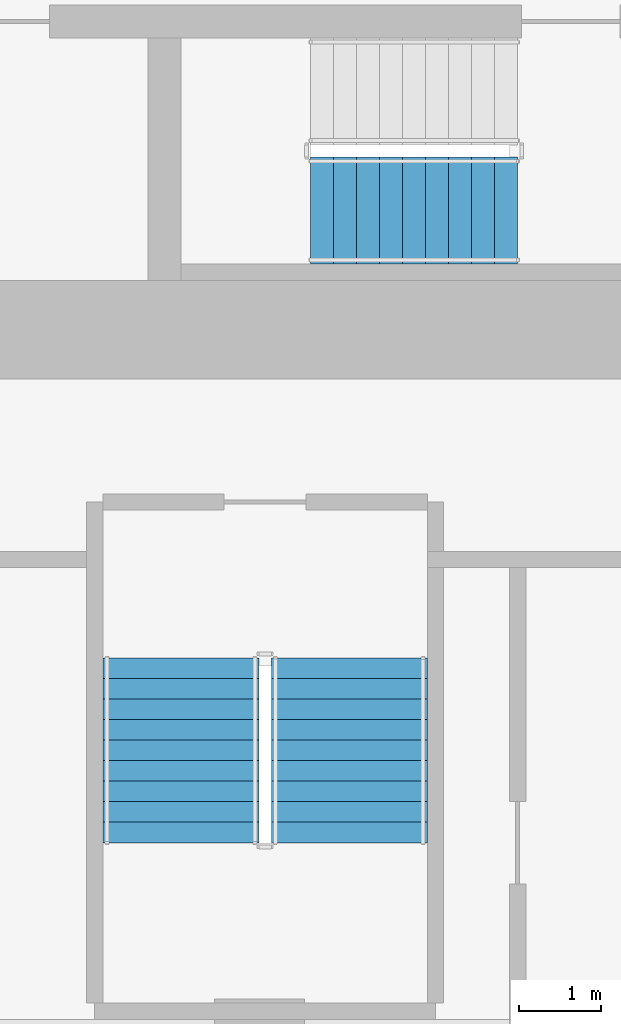
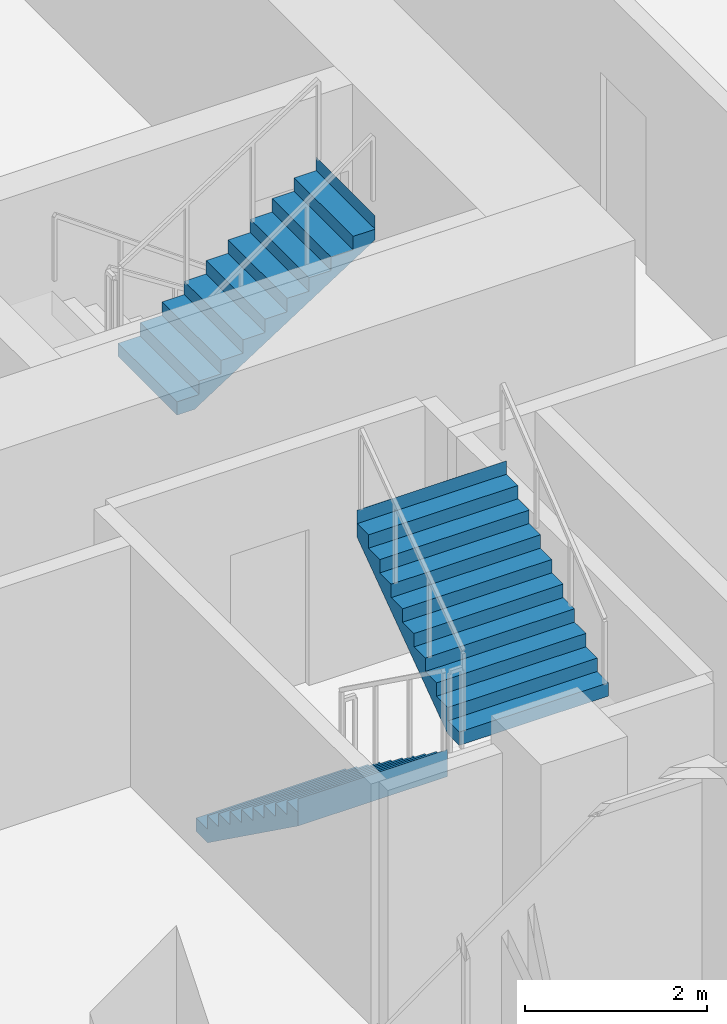
# One storey, part 17 of 22: 3 stair flights, 2 elements without a shape of their own.
"""IFC4 building model written with IfcOpenShell, lengths in metres."""

from ifc_helpers import new_model, si_unit, direction, frame, origin, place, context, subcontext, project, spatial, triangles, material, type_object, element, aggregate, save


model = new_model("IFC4")

# Units and contexts
model_context = context("Model", 3, precision=1e-05, world=origin(), true_north=direction((0.0, 1.0)))
body_context = subcontext(model_context, "Body", "Model", "MODEL_VIEW")
ifc_project = project(units=[si_unit("LENGTHUNIT", "METRE"), si_unit("AREAUNIT", "SQUARE_METRE"), si_unit("VOLUMEUNIT", "CUBIC_METRE"), si_unit("PLANEANGLEUNIT", "RADIAN"), si_unit("MASSUNIT", "GRAM", prefix="KILO")], contexts=[model_context])

# Site, building, storey
site_placement = place(None, origin())
site = spatial("IfcSite", under=ifc_project, at=site_placement, CompositionType="ELEMENT")
building_placement = place(site_placement, origin())
building = spatial("IfcBuilding", under=site, at=building_placement, Name="Beryl Residences", CompositionType="ELEMENT")
storey_placement = place(building_placement, frame((0.0, 0.0, 12.60009765625)))
storey = spatial("IfcBuildingStorey", under=building, at=storey_placement, Name="L03", CompositionType="ELEMENT", Elevation=12.60009765625)

# Stair, stair flights
ifc_material_1 = material(Name="Concrete C40/50", Category="concrete")
stair_type = type_object("IfcStairType", Name="ST1 protected exit stair, half-turn, 1300 mm flights", PredefinedType="HALF_TURN_STAIR", material=ifc_material_1)
stair_1_placement = place(storey_placement, origin())
stair_1 = element("IfcStair", 1, at=stair_1_placement, inside=storey, type_object=stair_type, Name="L03 Podium exit stair 7", PredefinedType="HALF_TURN_STAIR")
ifc_material_2 = material(Name="Concrete C40/50", Category="concrete")
stair_flight_type = type_object("IfcStairFlightType", Name="SF1 stair flight 1300 mm", PredefinedType="STRAIGHT", material=ifc_material_2)
stair_flight_1_placement = place(storey_placement, frame((6.699951171875, -22.39990234375, 0.0), z_axis=(0.0, 0.0, 1.0), x_axis=(0.0, -1.0, 0.0)))
stair_flight_1 = element("IfcStairFlight", 2, at=stair_flight_1_placement, type_object=stair_flight_type, Name="PS-7 flight 1", NumberOfRisers=10, NumberOfTreads=9, PredefinedType="STRAIGHT", RiserHeight=0.18, TreadLength=0.25, context=body_context, shape_type="Tessellation", body=[
    triangles([(0.0, -0.949951171875, 0.0), (0.0, -0.47509765625, 0.0), (0.0, 0.0, 0.0), (0.0, 0.47509765625, 0.0), (0.0, 0.949951171875, 0.0), (0.0, -0.949951171875, 0.179931640625), (0.0, -0.47509765625, 0.179931640625), (0.0, 0.0, 0.179931640625), (0.0, 0.47509765625, 0.179931640625), (0.0, 0.949951171875, 0.179931640625), (0.25, -0.949951171875, 0.179931640625), (0.25, -0.47509765625, 0.179931640625), (0.25, 0.0, 0.179931640625), (0.25, 0.47509765625, 0.179931640625), (0.25, 0.949951171875, 0.179931640625), (0.25, -0.949951171875, 0.360107421875), (0.25, -0.47509765625, 0.360107421875), (0.25, 0.0, 0.360107421875), (0.25, 0.47509765625, 0.360107421875), (0.25, 0.949951171875, 0.360107421875), (0.5, -0.949951171875, 0.360107421875), (0.5, -0.47509765625, 0.360107421875), (0.5, 0.0, 0.360107421875), (0.5, 0.47509765625, 0.360107421875), (0.5, 0.949951171875, 0.360107421875), (0.5, -0.949951171875, 0.5400390625), (0.5, -0.47509765625, 0.5400390625), (0.5, 0.0, 0.5400390625), (0.5, 0.47509765625, 0.5400390625), (0.5, 0.949951171875, 0.5400390625), (0.75, -0.949951171875, 0.5400390625), (0.75, -0.47509765625, 0.5400390625), (0.75, 0.0, 0.5400390625), (0.75, 0.47509765625, 0.5400390625), (0.75, 0.949951171875, 0.5400390625), (0.75, -0.949951171875, 0.719970703125), (0.75, -0.47509765625, 0.719970703125), (0.75, 0.0, 0.719970703125), (0.75, 0.47509765625, 0.719970703125), (0.75, 0.949951171875, 0.719970703125), (1.0, -0.949951171875, 0.719970703125), (1.0, -0.47509765625, 0.719970703125), (1.0, 0.0, 0.719970703125), (1.0, 0.47509765625, 0.719970703125), (1.0, 0.949951171875, 0.719970703125), (1.0, -0.949951171875, 0.89990234375), (1.0, -0.47509765625, 0.89990234375), (1.0, 0.0, 0.89990234375), (1.0, 0.47509765625, 0.89990234375), (1.0, 0.949951171875, 0.89990234375), (1.25, -0.949951171875, 0.89990234375), (1.25, -0.47509765625, 0.89990234375), (1.25, 0.0, 0.89990234375), (1.25, 0.47509765625, 0.89990234375), (1.25, 0.949951171875, 0.89990234375), (1.25, -0.949951171875, 1.080078125), (1.25, -0.47509765625, 1.080078125), (1.25, 0.0, 1.080078125), (1.25, 0.47509765625, 1.080078125), (1.25, 0.949951171875, 1.080078125), (1.5, -0.949951171875, 1.080078125), (1.5, -0.47509765625, 1.080078125), (1.5, 0.0, 1.080078125), (1.5, 0.47509765625, 1.080078125), (1.5, 0.949951171875, 1.080078125), (1.5, -0.949951171875, 1.260009765625), (1.5, -0.47509765625, 1.260009765625), (1.5, 0.0, 1.260009765625), (1.5, 0.47509765625, 1.260009765625), (1.5, 0.949951171875, 1.260009765625), (1.75, -0.949951171875, 1.260009765625), (1.75, -0.47509765625, 1.260009765625), (1.75, 0.0, 1.260009765625), (1.75, 0.47509765625, 1.260009765625), (1.75, 0.949951171875, 1.260009765625), (1.75, -0.949951171875, 1.43994140625), (1.75, -0.47509765625, 1.43994140625), (1.75, 0.0, 1.43994140625), (1.75, 0.47509765625, 1.43994140625), (1.75, 0.949951171875, 1.43994140625), (2.0, -0.949951171875, 1.43994140625), (2.0, -0.47509765625, 1.43994140625), (2.0, 0.0, 1.43994140625), (2.0, 0.47509765625, 1.43994140625), (2.0, 0.949951171875, 1.43994140625), (2.0, -0.949951171875, 1.6201171875), (2.0, -0.47509765625, 1.6201171875), (2.0, 0.0, 1.6201171875), (2.0, 0.47509765625, 1.6201171875), (2.0, 0.949951171875, 1.6201171875), (2.25, -0.949951171875, 1.6201171875), (2.25, -0.47509765625, 1.6201171875), (2.25, 0.0, 1.6201171875), (2.25, 0.47509765625, 1.6201171875), (2.25, 0.949951171875, 1.6201171875), (2.25, -0.949951171875, 1.800048828125), (2.25, -0.47509765625, 1.800048828125), (2.25, 0.0, 1.800048828125), (2.25, 0.47509765625, 1.800048828125), (2.25, 0.949951171875, 1.800048828125), (2.2509765625, -0.949951171875, 1.800048828125), (2.2509765625, -0.47509765625, 1.800048828125), (2.2509765625, 0.0, 1.800048828125), (2.2509765625, 0.47509765625, 1.800048828125), (2.2509765625, 0.949951171875, 1.800048828125), (2.2509765625, -0.949951171875, 1.435302734375), (2.2509765625, -0.47509765625, 1.435302734375), (2.2509765625, 0.0, 1.435302734375), (2.2509765625, 0.47509765625, 1.435302734375), (2.2509765625, 0.949951171875, 1.435302734375), (0.257568359375, -0.949951171875, 0.0), (0.257568359375, -0.47509765625, 0.0), (0.257568359375, 0.0, 0.0), (0.257568359375, 0.47509765625, 0.0), (0.257568359375, 0.949951171875, 0.0)], [[1, 6, 7], [1, 7, 2], [2, 7, 8], [2, 8, 3], [3, 8, 9], [3, 9, 4], [4, 9, 10], [4, 10, 5], [6, 11, 12], [6, 12, 7], [7, 12, 13], [7, 13, 8], [8, 13, 14], [8, 14, 9], [9, 14, 15], [9, 15, 10], [11, 16, 17], [11, 17, 12], [12, 17, 18], [12, 18, 13], [13, 18, 19], [13, 19, 14], [14, 19, 20], [14, 20, 15], [16, 21, 22], [16, 22, 17], [17, 22, 23], [17, 23, 18], [18, 23, 24], [18, 24, 19], [19, 24, 25], [19, 25, 20], [21, 26, 27], [21, 27, 22], [22, 27, 28], [22, 28, 23], [23, 28, 29], [23, 29, 24], [24, 29, 30], [24, 30, 25], [26, 31, 32], [26, 32, 27], [27, 32, 33], [27, 33, 28], [28, 33, 34], [28, 34, 29], [29, 34, 35], [29, 35, 30], [31, 36, 37], [31, 37, 32], [32, 37, 38], [32, 38, 33], [33, 38, 39], [33, 39, 34], [34, 39, 40], [34, 40, 35], [36, 41, 42], [36, 42, 37], [37, 42, 43], [37, 43, 38], [38, 43, 44], [38, 44, 39], [39, 44, 45], [39, 45, 40], [41, 46, 47], [41, 47, 42], [42, 47, 48], [42, 48, 43], [43, 48, 49], [43, 49, 44], [44, 49, 50], [44, 50, 45], [46, 51, 52], [46, 52, 47], [47, 52, 53], [47, 53, 48], [48, 53, 54], [48, 54, 49], [49, 54, 55], [49, 55, 50], [51, 56, 57], [51, 57, 52], [52, 57, 58], [52, 58, 53], [53, 58, 59], [53, 59, 54], [54, 59, 60], [54, 60, 55], [56, 61, 62], [56, 62, 57], [57, 62, 63], [57, 63, 58], [58, 63, 64], [58, 64, 59], [59, 64, 65], [59, 65, 60], [61, 66, 67], [61, 67, 62], [62, 67, 68], [62, 68, 63], [63, 68, 69], [63, 69, 64], [64, 69, 70], [64, 70, 65], [66, 71, 72], [66, 72, 67], [67, 72, 73], [67, 73, 68], [68, 73, 74], [68, 74, 69], [69, 74, 75], [69, 75, 70], [71, 76, 77], [71, 77, 72], [72, 77, 78], [72, 78, 73], [73, 78, 79], [73, 79, 74], [74, 79, 80], [74, 80, 75], [76, 81, 82], [76, 82, 77], [77, 82, 83], [77, 83, 78], [78, 83, 84], [78, 84, 79], [79, 84, 85], [79, 85, 80], [81, 86, 87], [81, 87, 82], [82, 87, 88], [82, 88, 83], [83, 88, 89], [83, 89, 84], [84, 89, 90], [84, 90, 85], [86, 91, 92], [86, 92, 87], [87, 92, 93], [87, 93, 88], [88, 93, 94], [88, 94, 89], [89, 94, 95], [89, 95, 90], [91, 96, 97], [91, 97, 92], [92, 97, 98], [92, 98, 93], [93, 98, 99], [93, 99, 94], [94, 99, 100], [94, 100, 95], [96, 101, 102], [96, 102, 97], [97, 102, 103], [97, 103, 98], [98, 103, 104], [98, 104, 99], [99, 104, 105], [99, 105, 100], [101, 106, 107], [101, 107, 102], [102, 107, 108], [102, 108, 103], [103, 108, 109], [103, 109, 104], [104, 109, 110], [104, 110, 105], [106, 111, 112], [106, 112, 107], [107, 112, 113], [107, 113, 108], [108, 113, 114], [108, 114, 109], [109, 114, 115], [109, 115, 110], [111, 1, 2], [111, 2, 112], [112, 2, 3], [112, 3, 113], [113, 3, 4], [113, 4, 114], [114, 4, 5], [114, 5, 115], [1, 111, 106], [5, 110, 115], [106, 101, 96], [110, 100, 105], [106, 96, 91], [110, 95, 100], [106, 91, 86], [110, 90, 95], [106, 86, 81], [110, 85, 90], [106, 81, 76], [110, 80, 85], [106, 76, 71], [110, 75, 80], [71, 66, 61], [75, 65, 70], [106, 71, 61], [110, 65, 75], [61, 56, 51], [65, 55, 60], [106, 61, 51], [110, 55, 65], [51, 46, 41], [55, 45, 50], [106, 51, 41], [110, 45, 55], [41, 36, 31], [45, 35, 40], [106, 41, 31], [110, 35, 45], [31, 26, 21], [35, 25, 30], [106, 31, 21], [110, 25, 35], [21, 16, 11], [25, 15, 20], [106, 21, 11], [110, 15, 25], [1, 106, 11], [5, 15, 110], [11, 6, 1], [15, 5, 10]], closed=True),
])
stair_flight_2_placement = place(storey_placement, frame((8.75, -24.64990234375, 1.7998046875), z_axis=(0.0, 0.0, 1.0), x_axis=(0.0, 1.0, 0.0)))
stair_flight_2 = element("IfcStairFlight", 3, at=stair_flight_2_placement, type_object=stair_flight_type, Name="PS-7 flight 2", NumberOfRisers=10, NumberOfTreads=9, PredefinedType="STRAIGHT", RiserHeight=0.18, TreadLength=0.25, context=body_context, shape_type="Tessellation", body=[
    triangles([(0.0, -0.949951171875, 0.0), (0.0, -0.47509765625, 0.0), (0.0, 0.0, 0.0), (0.0, 0.47509765625, 0.0), (0.0, 0.949951171875, 0.0), (0.0, -0.949951171875, 0.179931640625), (0.0, -0.47509765625, 0.179931640625), (0.0, 0.0, 0.179931640625), (0.0, 0.47509765625, 0.179931640625), (0.0, 0.949951171875, 0.179931640625), (0.25, -0.949951171875, 0.179931640625), (0.25, -0.47509765625, 0.179931640625), (0.25, 0.0, 0.179931640625), (0.25, 0.47509765625, 0.179931640625), (0.25, 0.949951171875, 0.179931640625), (0.25, -0.949951171875, 0.360107421875), (0.25, -0.47509765625, 0.360107421875), (0.25, 0.0, 0.360107421875), (0.25, 0.47509765625, 0.360107421875), (0.25, 0.949951171875, 0.360107421875), (0.5, -0.949951171875, 0.360107421875), (0.5, -0.47509765625, 0.360107421875), (0.5, 0.0, 0.360107421875), (0.5, 0.47509765625, 0.360107421875), (0.5, 0.949951171875, 0.360107421875), (0.5, -0.949951171875, 0.5400390625), (0.5, -0.47509765625, 0.5400390625), (0.5, 0.0, 0.5400390625), (0.5, 0.47509765625, 0.5400390625), (0.5, 0.949951171875, 0.5400390625), (0.75, -0.949951171875, 0.5400390625), (0.75, -0.47509765625, 0.5400390625), (0.75, 0.0, 0.5400390625), (0.75, 0.47509765625, 0.5400390625), (0.75, 0.949951171875, 0.5400390625), (0.75, -0.949951171875, 0.719970703125), (0.75, -0.47509765625, 0.719970703125), (0.75, 0.0, 0.719970703125), (0.75, 0.47509765625, 0.719970703125), (0.75, 0.949951171875, 0.719970703125), (1.0, -0.949951171875, 0.719970703125), (1.0, -0.47509765625, 0.719970703125), (1.0, 0.0, 0.719970703125), (1.0, 0.47509765625, 0.719970703125), (1.0, 0.949951171875, 0.719970703125), (1.0, -0.949951171875, 0.89990234375), (1.0, -0.47509765625, 0.89990234375), (1.0, 0.0, 0.89990234375), (1.0, 0.47509765625, 0.89990234375), (1.0, 0.949951171875, 0.89990234375), (1.25, -0.949951171875, 0.89990234375), (1.25, -0.47509765625, 0.89990234375), (1.25, 0.0, 0.89990234375), (1.25, 0.47509765625, 0.89990234375), (1.25, 0.949951171875, 0.89990234375), (1.25, -0.949951171875, 1.080078125), (1.25, -0.47509765625, 1.080078125), (1.25, 0.0, 1.080078125), (1.25, 0.47509765625, 1.080078125), (1.25, 0.949951171875, 1.080078125), (1.5, -0.949951171875, 1.080078125), (1.5, -0.47509765625, 1.080078125), (1.5, 0.0, 1.080078125), (1.5, 0.47509765625, 1.080078125), (1.5, 0.949951171875, 1.080078125), (1.5, -0.949951171875, 1.260009765625), (1.5, -0.47509765625, 1.260009765625), (1.5, 0.0, 1.260009765625), (1.5, 0.47509765625, 1.260009765625), (1.5, 0.949951171875, 1.260009765625), (1.75, -0.949951171875, 1.260009765625), (1.75, -0.47509765625, 1.260009765625), (1.75, 0.0, 1.260009765625), (1.75, 0.47509765625, 1.260009765625), (1.75, 0.949951171875, 1.260009765625), (1.75, -0.949951171875, 1.43994140625), (1.75, -0.47509765625, 1.43994140625), (1.75, 0.0, 1.43994140625), (1.75, 0.47509765625, 1.43994140625), (1.75, 0.949951171875, 1.43994140625), (2.0, -0.949951171875, 1.43994140625), (2.0, -0.47509765625, 1.43994140625), (2.0, 0.0, 1.43994140625), (2.0, 0.47509765625, 1.43994140625), (2.0, 0.949951171875, 1.43994140625), (2.0, -0.949951171875, 1.6201171875), (2.0, -0.47509765625, 1.6201171875), (2.0, 0.0, 1.6201171875), (2.0, 0.47509765625, 1.6201171875), (2.0, 0.949951171875, 1.6201171875), (2.25, -0.949951171875, 1.6201171875), (2.25, -0.47509765625, 1.6201171875), (2.25, 0.0, 1.6201171875), (2.25, 0.47509765625, 1.6201171875), (2.25, 0.949951171875, 1.6201171875), (2.25, -0.949951171875, 1.800048828125), (2.25, -0.47509765625, 1.800048828125), (2.25, 0.0, 1.800048828125), (2.25, 0.47509765625, 1.800048828125), (2.25, 0.949951171875, 1.800048828125), (2.2509765625, -0.949951171875, 1.800048828125), (2.2509765625, -0.47509765625, 1.800048828125), (2.2509765625, 0.0, 1.800048828125), (2.2509765625, 0.47509765625, 1.800048828125), (2.2509765625, 0.949951171875, 1.800048828125), (2.2509765625, -0.949951171875, 1.435302734375), (2.2509765625, -0.47509765625, 1.435302734375), (2.2509765625, 0.0, 1.435302734375), (2.2509765625, 0.47509765625, 1.435302734375), (2.2509765625, 0.949951171875, 1.435302734375), (0.257568359375, -0.949951171875, 0.0), (0.257568359375, -0.47509765625, 0.0), (0.257568359375, 0.0, 0.0), (0.257568359375, 0.47509765625, 0.0), (0.257568359375, 0.949951171875, 0.0)], [[1, 6, 7], [1, 7, 2], [2, 7, 8], [2, 8, 3], [3, 8, 9], [3, 9, 4], [4, 9, 10], [4, 10, 5], [6, 11, 12], [6, 12, 7], [7, 12, 13], [7, 13, 8], [8, 13, 14], [8, 14, 9], [9, 14, 15], [9, 15, 10], [11, 16, 17], [11, 17, 12], [12, 17, 18], [12, 18, 13], [13, 18, 19], [13, 19, 14], [14, 19, 20], [14, 20, 15], [16, 21, 22], [16, 22, 17], [17, 22, 23], [17, 23, 18], [18, 23, 24], [18, 24, 19], [19, 24, 25], [19, 25, 20], [21, 26, 27], [21, 27, 22], [22, 27, 28], [22, 28, 23], [23, 28, 29], [23, 29, 24], [24, 29, 30], [24, 30, 25], [26, 31, 32], [26, 32, 27], [27, 32, 33], [27, 33, 28], [28, 33, 34], [28, 34, 29], [29, 34, 35], [29, 35, 30], [31, 36, 37], [31, 37, 32], [32, 37, 38], [32, 38, 33], [33, 38, 39], [33, 39, 34], [34, 39, 40], [34, 40, 35], [36, 41, 42], [36, 42, 37], [37, 42, 43], [37, 43, 38], [38, 43, 44], [38, 44, 39], [39, 44, 45], [39, 45, 40], [41, 46, 47], [41, 47, 42], [42, 47, 48], [42, 48, 43], [43, 48, 49], [43, 49, 44], [44, 49, 50], [44, 50, 45], [46, 51, 52], [46, 52, 47], [47, 52, 53], [47, 53, 48], [48, 53, 54], [48, 54, 49], [49, 54, 55], [49, 55, 50], [51, 56, 57], [51, 57, 52], [52, 57, 58], [52, 58, 53], [53, 58, 59], [53, 59, 54], [54, 59, 60], [54, 60, 55], [56, 61, 62], [56, 62, 57], [57, 62, 63], [57, 63, 58], [58, 63, 64], [58, 64, 59], [59, 64, 65], [59, 65, 60], [61, 66, 67], [61, 67, 62], [62, 67, 68], [62, 68, 63], [63, 68, 69], [63, 69, 64], [64, 69, 70], [64, 70, 65], [66, 71, 72], [66, 72, 67], [67, 72, 73], [67, 73, 68], [68, 73, 74], [68, 74, 69], [69, 74, 75], [69, 75, 70], [71, 76, 77], [71, 77, 72], [72, 77, 78], [72, 78, 73], [73, 78, 79], [73, 79, 74], [74, 79, 80], [74, 80, 75], [76, 81, 82], [76, 82, 77], [77, 82, 83], [77, 83, 78], [78, 83, 84], [78, 84, 79], [79, 84, 85], [79, 85, 80], [81, 86, 87], [81, 87, 82], [82, 87, 88], [82, 88, 83], [83, 88, 89], [83, 89, 84], [84, 89, 90], [84, 90, 85], [86, 91, 92], [86, 92, 87], [87, 92, 93], [87, 93, 88], [88, 93, 94], [88, 94, 89], [89, 94, 95], [89, 95, 90], [91, 96, 97], [91, 97, 92], [92, 97, 98], [92, 98, 93], [93, 98, 99], [93, 99, 94], [94, 99, 100], [94, 100, 95], [96, 101, 102], [96, 102, 97], [97, 102, 103], [97, 103, 98], [98, 103, 104], [98, 104, 99], [99, 104, 105], [99, 105, 100], [101, 106, 107], [101, 107, 102], [102, 107, 108], [102, 108, 103], [103, 108, 109], [103, 109, 104], [104, 109, 110], [104, 110, 105], [106, 111, 112], [106, 112, 107], [107, 112, 113], [107, 113, 108], [108, 113, 114], [108, 114, 109], [109, 114, 115], [109, 115, 110], [111, 1, 2], [111, 2, 112], [112, 2, 3], [112, 3, 113], [113, 3, 4], [113, 4, 114], [114, 4, 5], [114, 5, 115], [1, 111, 106], [5, 110, 115], [106, 101, 96], [110, 100, 105], [106, 96, 91], [110, 95, 100], [106, 91, 86], [110, 90, 95], [106, 86, 81], [110, 85, 90], [106, 81, 76], [110, 80, 85], [106, 76, 71], [110, 75, 80], [71, 66, 61], [75, 65, 70], [106, 71, 61], [110, 65, 75], [61, 56, 51], [65, 55, 60], [106, 61, 51], [110, 55, 65], [51, 46, 41], [55, 45, 50], [106, 51, 41], [110, 45, 55], [41, 36, 31], [45, 35, 40], [106, 41, 31], [110, 35, 45], [31, 26, 21], [35, 25, 30], [106, 31, 21], [110, 25, 35], [21, 16, 11], [25, 15, 20], [106, 21, 11], [110, 15, 25], [1, 106, 11], [5, 15, 110], [11, 6, 1], [15, 5, 10]], closed=True),
])
aggregate(stair_1, [stair_flight_1, stair_flight_2])

# Stair, stair flight
stair_2_placement = place(storey_placement, origin())
stair_2 = element("IfcStair", 4, at=stair_2_placement, inside=storey, type_object=stair_type, Name="L03 PROTECTED EXIT STAIR ST-3", PredefinedType="HALF_TURN_STAIR")
stair_flight_3_placement = place(storey_placement, frame((8.280029296875, -16.949951171875, 1.7998046875), z_axis=(0.0, 0.0, 1.0), x_axis=(1.0, 0.0, 0.0)))
stair_flight_3 = element("IfcStairFlight", 5, at=stair_flight_3_placement, type_object=stair_flight_type, Name="ST-3 flight 2", NumberOfRisers=10, NumberOfTreads=9, PredefinedType="STRAIGHT", RiserHeight=0.18, TreadLength=0.28, context=body_context, shape_type="Tessellation", body=[
    triangles([(0.0, -0.64990234375, 0.0), (0.0, -0.324951171875, 0.0), (0.0, 0.0, 0.0), (0.0, 0.324951171875, 0.0), (0.0, 0.64990234375, 0.0), (0.0, -0.64990234375, 0.179931640625), (0.0, -0.324951171875, 0.179931640625), (0.0, 0.0, 0.179931640625), (0.0, 0.324951171875, 0.179931640625), (0.0, 0.64990234375, 0.179931640625), (0.280029296875, -0.64990234375, 0.179931640625), (0.280029296875, -0.324951171875, 0.179931640625), (0.280029296875, 0.0, 0.179931640625), (0.280029296875, 0.324951171875, 0.179931640625), (0.280029296875, 0.64990234375, 0.179931640625), (0.280029296875, -0.64990234375, 0.360107421875), (0.280029296875, -0.324951171875, 0.360107421875), (0.280029296875, 0.0, 0.360107421875), (0.280029296875, 0.324951171875, 0.360107421875), (0.280029296875, 0.64990234375, 0.360107421875), (0.56005859375, -0.64990234375, 0.360107421875), (0.56005859375, -0.324951171875, 0.360107421875), (0.56005859375, 0.0, 0.360107421875), (0.56005859375, 0.324951171875, 0.360107421875), (0.56005859375, 0.64990234375, 0.360107421875), (0.56005859375, -0.64990234375, 0.5400390625), (0.56005859375, -0.324951171875, 0.5400390625), (0.56005859375, 0.0, 0.5400390625), (0.56005859375, 0.324951171875, 0.5400390625), (0.56005859375, 0.64990234375, 0.5400390625), (0.840087890625, -0.64990234375, 0.5400390625), (0.840087890625, -0.324951171875, 0.5400390625), (0.840087890625, 0.0, 0.5400390625), (0.840087890625, 0.324951171875, 0.5400390625), (0.840087890625, 0.64990234375, 0.5400390625), (0.840087890625, -0.64990234375, 0.719970703125), (0.840087890625, -0.324951171875, 0.719970703125), (0.840087890625, 0.0, 0.719970703125), (0.840087890625, 0.324951171875, 0.719970703125), (0.840087890625, 0.64990234375, 0.719970703125), (1.1201171875, -0.64990234375, 0.719970703125), (1.1201171875, -0.324951171875, 0.719970703125), (1.1201171875, 0.0, 0.719970703125), (1.1201171875, 0.324951171875, 0.719970703125), (1.1201171875, 0.64990234375, 0.719970703125), (1.1201171875, -0.64990234375, 0.89990234375), (1.1201171875, -0.324951171875, 0.89990234375), (1.1201171875, 0.0, 0.89990234375), (1.1201171875, 0.324951171875, 0.89990234375), (1.1201171875, 0.64990234375, 0.89990234375), (1.39990234375, -0.64990234375, 0.89990234375), (1.39990234375, -0.324951171875, 0.89990234375), (1.39990234375, 0.0, 0.89990234375), (1.39990234375, 0.324951171875, 0.89990234375), (1.39990234375, 0.64990234375, 0.89990234375), (1.39990234375, -0.64990234375, 1.080078125), (1.39990234375, -0.324951171875, 1.080078125), (1.39990234375, 0.0, 1.080078125), (1.39990234375, 0.324951171875, 1.080078125), (1.39990234375, 0.64990234375, 1.080078125), (1.679931640625, -0.64990234375, 1.080078125), (1.679931640625, -0.324951171875, 1.080078125), (1.679931640625, 0.0, 1.080078125), (1.679931640625, 0.324951171875, 1.080078125), (1.679931640625, 0.64990234375, 1.080078125), (1.679931640625, -0.64990234375, 1.260009765625), (1.679931640625, -0.324951171875, 1.260009765625), (1.679931640625, 0.0, 1.260009765625), (1.679931640625, 0.324951171875, 1.260009765625), (1.679931640625, 0.64990234375, 1.260009765625), (1.9599609375, -0.64990234375, 1.260009765625), (1.9599609375, -0.324951171875, 1.260009765625), (1.9599609375, 0.0, 1.260009765625), (1.9599609375, 0.324951171875, 1.260009765625), (1.9599609375, 0.64990234375, 1.260009765625), (1.9599609375, -0.64990234375, 1.43994140625), (1.9599609375, -0.324951171875, 1.43994140625), (1.9599609375, 0.0, 1.43994140625), (1.9599609375, 0.324951171875, 1.43994140625), (1.9599609375, 0.64990234375, 1.43994140625), (2.239990234375, -0.64990234375, 1.43994140625), (2.239990234375, -0.324951171875, 1.43994140625), (2.239990234375, 0.0, 1.43994140625), (2.239990234375, 0.324951171875, 1.43994140625), (2.239990234375, 0.64990234375, 1.43994140625), (2.239990234375, -0.64990234375, 1.6201171875), (2.239990234375, -0.324951171875, 1.6201171875), (2.239990234375, 0.0, 1.6201171875), (2.239990234375, 0.324951171875, 1.6201171875), (2.239990234375, 0.64990234375, 1.6201171875), (2.52001953125, -0.64990234375, 1.6201171875), (2.52001953125, -0.324951171875, 1.6201171875), (2.52001953125, 0.0, 1.6201171875), (2.52001953125, 0.324951171875, 1.6201171875), (2.52001953125, 0.64990234375, 1.6201171875), (2.52001953125, -0.64990234375, 1.800048828125), (2.52001953125, -0.324951171875, 1.800048828125), (2.52001953125, 0.0, 1.800048828125), (2.52001953125, 0.324951171875, 1.800048828125), (2.52001953125, 0.64990234375, 1.800048828125), (2.52099609375, -0.64990234375, 1.800048828125), (2.52099609375, -0.324951171875, 1.800048828125), (2.52099609375, 0.0, 1.800048828125), (2.52099609375, 0.324951171875, 1.800048828125), (2.52099609375, 0.64990234375, 1.800048828125), (2.52099609375, -0.64990234375, 1.477294921875), (2.52099609375, -0.324951171875, 1.477294921875), (2.52099609375, 0.0, 1.477294921875), (2.52099609375, 0.324951171875, 1.477294921875), (2.52099609375, 0.64990234375, 1.477294921875), (0.22314453125, -0.64990234375, 0.0), (0.22314453125, -0.324951171875, 0.0), (0.22314453125, 0.0, 0.0), (0.22314453125, 0.324951171875, 0.0), (0.22314453125, 0.64990234375, 0.0)], [[1, 6, 7], [1, 7, 2], [2, 7, 8], [2, 8, 3], [3, 8, 9], [3, 9, 4], [4, 9, 10], [4, 10, 5], [6, 11, 12], [6, 12, 7], [7, 12, 13], [7, 13, 8], [8, 13, 14], [8, 14, 9], [9, 14, 15], [9, 15, 10], [11, 16, 17], [11, 17, 12], [12, 17, 18], [12, 18, 13], [13, 18, 19], [13, 19, 14], [14, 19, 20], [14, 20, 15], [16, 21, 22], [16, 22, 17], [17, 22, 23], [17, 23, 18], [18, 23, 24], [18, 24, 19], [19, 24, 25], [19, 25, 20], [21, 26, 27], [21, 27, 22], [22, 27, 28], [22, 28, 23], [23, 28, 29], [23, 29, 24], [24, 29, 30], [24, 30, 25], [26, 31, 32], [26, 32, 27], [27, 32, 33], [27, 33, 28], [28, 33, 34], [28, 34, 29], [29, 34, 35], [29, 35, 30], [31, 36, 37], [31, 37, 32], [32, 37, 38], [32, 38, 33], [33, 38, 39], [33, 39, 34], [34, 39, 40], [34, 40, 35], [36, 41, 42], [36, 42, 37], [37, 42, 43], [37, 43, 38], [38, 43, 44], [38, 44, 39], [39, 44, 45], [39, 45, 40], [41, 46, 47], [41, 47, 42], [42, 47, 48], [42, 48, 43], [43, 48, 49], [43, 49, 44], [44, 49, 50], [44, 50, 45], [46, 51, 52], [46, 52, 47], [47, 52, 53], [47, 53, 48], [48, 53, 54], [48, 54, 49], [49, 54, 55], [49, 55, 50], [51, 56, 57], [51, 57, 52], [52, 57, 58], [52, 58, 53], [53, 58, 59], [53, 59, 54], [54, 59, 60], [54, 60, 55], [56, 61, 62], [56, 62, 57], [57, 62, 63], [57, 63, 58], [58, 63, 64], [58, 64, 59], [59, 64, 65], [59, 65, 60], [61, 66, 67], [61, 67, 62], [62, 67, 68], [62, 68, 63], [63, 68, 69], [63, 69, 64], [64, 69, 70], [64, 70, 65], [66, 71, 72], [66, 72, 67], [67, 72, 73], [67, 73, 68], [68, 73, 74], [68, 74, 69], [69, 74, 75], [69, 75, 70], [71, 76, 77], [71, 77, 72], [72, 77, 78], [72, 78, 73], [73, 78, 79], [73, 79, 74], [74, 79, 80], [74, 80, 75], [76, 81, 82], [76, 82, 77], [77, 82, 83], [77, 83, 78], [78, 83, 84], [78, 84, 79], [79, 84, 85], [79, 85, 80], [81, 86, 87], [81, 87, 82], [82, 87, 88], [82, 88, 83], [83, 88, 89], [83, 89, 84], [84, 89, 90], [84, 90, 85], [86, 91, 92], [86, 92, 87], [87, 92, 93], [87, 93, 88], [88, 93, 94], [88, 94, 89], [89, 94, 95], [89, 95, 90], [91, 96, 97], [91, 97, 92], [92, 97, 98], [92, 98, 93], [93, 98, 99], [93, 99, 94], [94, 99, 100], [94, 100, 95], [96, 101, 102], [96, 102, 97], [97, 102, 103], [97, 103, 98], [98, 103, 104], [98, 104, 99], [99, 104, 105], [99, 105, 100], [101, 106, 107], [101, 107, 102], [102, 107, 108], [102, 108, 103], [103, 108, 109], [103, 109, 104], [104, 109, 110], [104, 110, 105], [106, 111, 112], [106, 112, 107], [107, 112, 113], [107, 113, 108], [108, 113, 114], [108, 114, 109], [109, 114, 115], [109, 115, 110], [111, 1, 2], [111, 2, 112], [112, 2, 3], [112, 3, 113], [113, 3, 4], [113, 4, 114], [114, 4, 5], [114, 5, 115], [1, 111, 106], [5, 110, 115], [106, 101, 96], [110, 100, 105], [106, 96, 91], [110, 95, 100], [106, 91, 86], [110, 90, 95], [106, 86, 81], [110, 85, 90], [81, 76, 71], [85, 75, 80], [106, 81, 71], [110, 75, 85], [71, 66, 61], [75, 65, 70], [106, 71, 61], [110, 65, 75], [61, 56, 51], [65, 55, 60], [106, 61, 51], [110, 55, 65], [51, 46, 41], [55, 45, 50], [106, 51, 41], [110, 45, 55], [41, 36, 31], [45, 35, 40], [106, 41, 31], [110, 35, 45], [31, 26, 21], [35, 25, 30], [106, 31, 21], [110, 25, 35], [21, 16, 11], [25, 15, 20], [106, 21, 11], [110, 15, 25], [1, 106, 11], [5, 15, 110], [11, 6, 1], [15, 5, 10]], closed=True),
])
aggregate(stair_2, [stair_flight_3])

save(model, "model.ifc")
